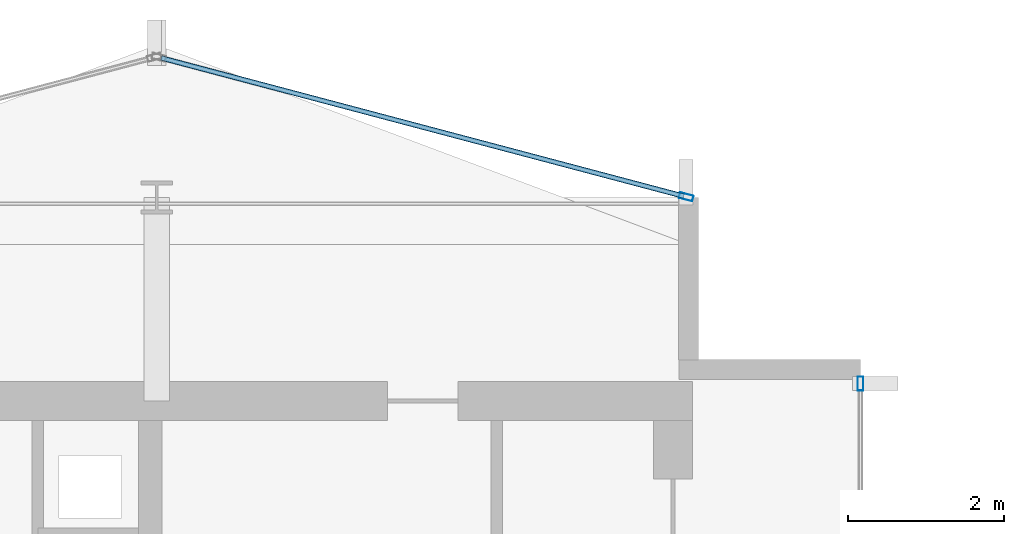
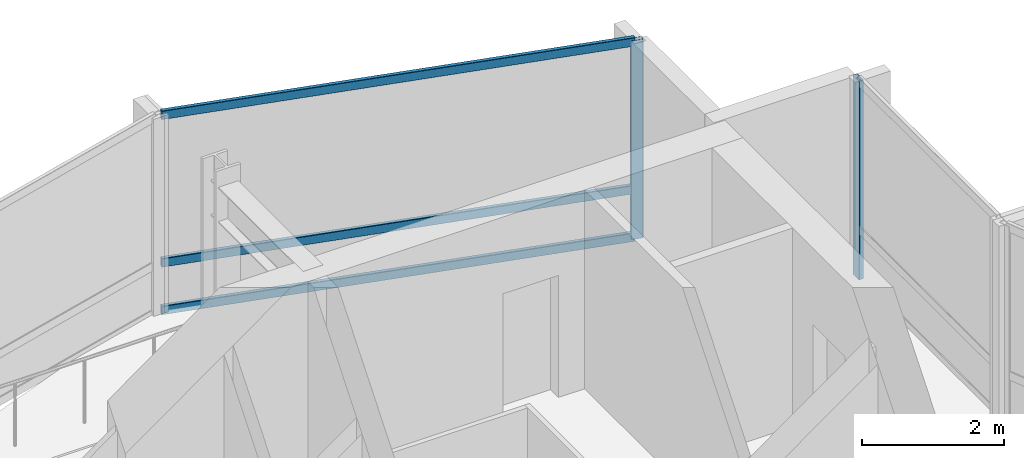
# One storey, part 18 of 27: 5 members, 2 elements without a shape of their own.
"""IFC4 building model written with IfcOpenShell, lengths in metres."""

from ifc_helpers import new_model, si_unit, direction, frame, origin, origin_2d, place, context, subcontext, project, spatial, hollow_rectangle, extrude, material, layer, layer_set, material_profile, profile_set, type_object, element, aggregate, save


model = new_model("IFC4")

# Units and contexts
model_context = context("Model", 3, precision=1e-05, world=origin(), true_north=direction((0.0, 1.0)))
body_context = subcontext(model_context, "Body", "Model", "MODEL_VIEW")
ifc_project = project(units=[si_unit("LENGTHUNIT", "METRE"), si_unit("AREAUNIT", "SQUARE_METRE"), si_unit("VOLUMEUNIT", "CUBIC_METRE"), si_unit("PLANEANGLEUNIT", "RADIAN"), si_unit("MASSUNIT", "GRAM", prefix="KILO")], contexts=[model_context])

# Site, building, storey
site_placement = place(None, origin())
site = spatial("IfcSite", under=ifc_project, at=site_placement, CompositionType="ELEMENT")
building_placement = place(site_placement, origin())
building = spatial("IfcBuilding", under=site, at=building_placement, Name="Solvaryn Broadcast Tower", CompositionType="ELEMENT")
storey_placement = place(building_placement, frame((0.0, 0.0, 185.300048828125)))
storey = spatial("IfcBuildingStorey", under=building, at=storey_placement, Name="L46", CompositionType="ELEMENT", Elevation=185.300048828125)

# Curtain wall, member
ifc_material_1 = material(Name="Aluminium and Terracotta Unitised Curtain Wall", Category="masonry")
ifc_layer = layer(ifc_material_1, 0.199951171875)
ifc_layer_set = layer_set([ifc_layer], Name="CW-SYS2-LOWMID")
curtain_wall_type = type_object("IfcCurtainWallType", Name="CW-SYS2-LOWMID", PredefinedType="NOTDEFINED", material=ifc_layer_set)
curtain_wall_1_placement = place(storey_placement, origin())
curtain_wall_1 = element("IfcCurtainWall", 1, at=curtain_wall_1_placement, inside=storey, type_object=curtain_wall_type, Name="L46 Curtain Wall IV", PredefinedType="NOTDEFINED")
ifc_material_2 = material(Name="Anodised Aluminium 6063-T6", Category="aluminium")
ifc_material_profile_1 = material_profile(ifc_material_2, hollow_rectangle(XDim=0.074951171875, YDim=0.179931640625, WallThickness=0.00390625, InnerFilletRadius=0.00390625, OuterFilletRadius=0.008056640625, at=origin_2d()))
ifc_profile_set_1 = profile_set([ifc_material_profile_1], Name="Anodised Aluminium 6063-T6")
member_type_1 = type_object("IfcMemberType", Name="CW-MUL-180", PredefinedType="MULLION", material=ifc_profile_set_1)
member_1_placement = place(storey_placement, frame((27.0, 42.6201171875, 0.0), z_axis=(0.0, 0.0, 1.0), x_axis=(1.0, 0.0, 0.0)))
member_1 = element("IfcMember", 2, at=member_1_placement, type_object=member_type_1, Name="CWS2 mullion 1", PredefinedType="MULLION", context=body_context, shape_type="SweptSolid", body=[
    extrude(hollow_rectangle(XDim=0.074951171875, YDim=0.179931640625, WallThickness=0.00390625, InnerFilletRadius=0.00390625, OuterFilletRadius=0.008056640625, at=origin_2d()), origin(), (0.0, 0.0, 1.0), 3.419921875),
])
aggregate(curtain_wall_1, [member_1])

# Curtain wall, members
curtain_wall_2_placement = place(storey_placement, origin())
curtain_wall_2 = element("IfcCurtainWall", 3, at=curtain_wall_2_placement, inside=storey, type_object=curtain_wall_type, Name="L46 Curtain Wall NT1", PredefinedType="NOTDEFINED")
member_2_placement = place(storey_placement, frame((24.77099609375, 45.007568359375, 0.0), z_axis=(0.0, 0.0, 1.0), x_axis=(-0.25589256031, -0.966705227863, 0.0)))
member_2 = element("IfcMember", 4, at=member_2_placement, type_object=member_type_1, Name="CWS2 mullion 1", PredefinedType="MULLION", context=body_context, shape_type="SweptSolid", body=[
    extrude(hollow_rectangle(XDim=0.074951171875, YDim=0.179931640625, WallThickness=0.00390625, InnerFilletRadius=0.00390625, OuterFilletRadius=0.008056640625, at=origin_2d()), origin(), (0.0, 0.0, 1.0), 3.419921875),
])
ifc_material_3 = material(Name="Anodised Aluminium 6063-T6", Category="aluminium")
ifc_material_profile_2 = material_profile(ifc_material_3, hollow_rectangle(XDim=0.06494140625, YDim=0.14990234375, WallThickness=0.00390625, InnerFilletRadius=0.00390625, OuterFilletRadius=0.008056640625, at=origin_2d()))
ifc_profile_set_2 = profile_set([ifc_material_profile_2], Name="Anodised Aluminium 6063-T6")
member_type_2 = type_object("IfcMemberType", Name="CW-TRN-150", PredefinedType="USERDEFINED", material=ifc_profile_set_2)
member_3_placement = place(storey_placement, frame((24.741943359375, 45.015380859375, 0.030029296875), z_axis=(-0.966703943301, 0.255897413051, 0.0), x_axis=(-0.255897413051, -0.966703943301, 0.0)))
member_3 = element("IfcMember", 5, at=member_3_placement, type_object=member_type_2, Name="CWS2 transom 1.1", ObjectType="TRANSOM", PredefinedType="USERDEFINED", context=body_context, shape_type="SweptSolid", body=[
    extrude(hollow_rectangle(XDim=0.06494140625, YDim=0.14990234375, WallThickness=0.00390625, InnerFilletRadius=0.00390625, OuterFilletRadius=0.008056640625, at=origin_2d()), origin(), (0.0, 0.0, 1.0), 6.9140625),
])
member_4_placement = place(storey_placement, frame((24.741943359375, 45.015380859375, 0.849853515625), z_axis=(-0.966703943301, 0.255897413051, 0.0), x_axis=(-0.255897413051, -0.966703943301, 0.0)))
member_4 = element("IfcMember", 6, at=member_4_placement, type_object=member_type_2, Name="CWS2 transom 1.2", ObjectType="TRANSOM", PredefinedType="USERDEFINED", context=body_context, shape_type="SweptSolid", body=[
    extrude(hollow_rectangle(XDim=0.06494140625, YDim=0.14990234375, WallThickness=0.00390625, InnerFilletRadius=0.00390625, OuterFilletRadius=0.008056640625, at=origin_2d()), origin(), (0.0, 0.0, 1.0), 6.9140625),
])
member_5_placement = place(storey_placement, frame((24.741943359375, 45.015380859375, 3.389892578125), z_axis=(-0.966703943301, 0.255897413051, 0.0), x_axis=(-0.255897413051, -0.966703943301, 0.0)))
member_5 = element("IfcMember", 7, at=member_5_placement, type_object=member_type_2, Name="CWS2 transom 1.3", ObjectType="TRANSOM", PredefinedType="USERDEFINED", context=body_context, shape_type="SweptSolid", body=[
    extrude(hollow_rectangle(XDim=0.06494140625, YDim=0.14990234375, WallThickness=0.00390625, InnerFilletRadius=0.00390625, OuterFilletRadius=0.008056640625, at=origin_2d()), origin(), (0.0, 0.0, 1.0), 6.9140625),
])
aggregate(curtain_wall_2, [member_2, member_3, member_4, member_5])

save(model, "model.ifc")
